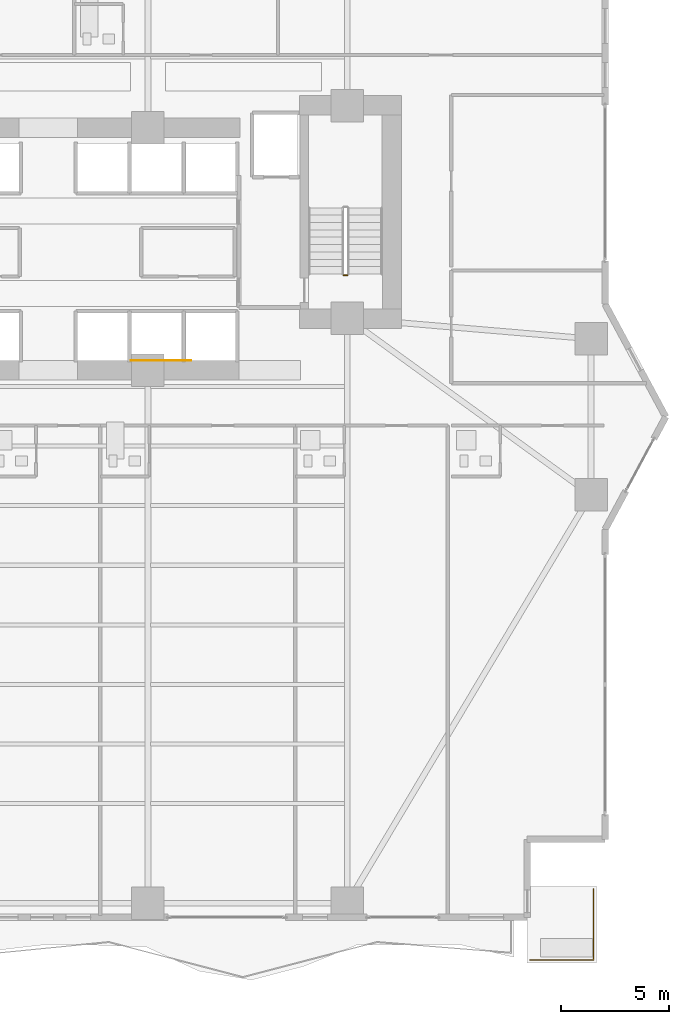
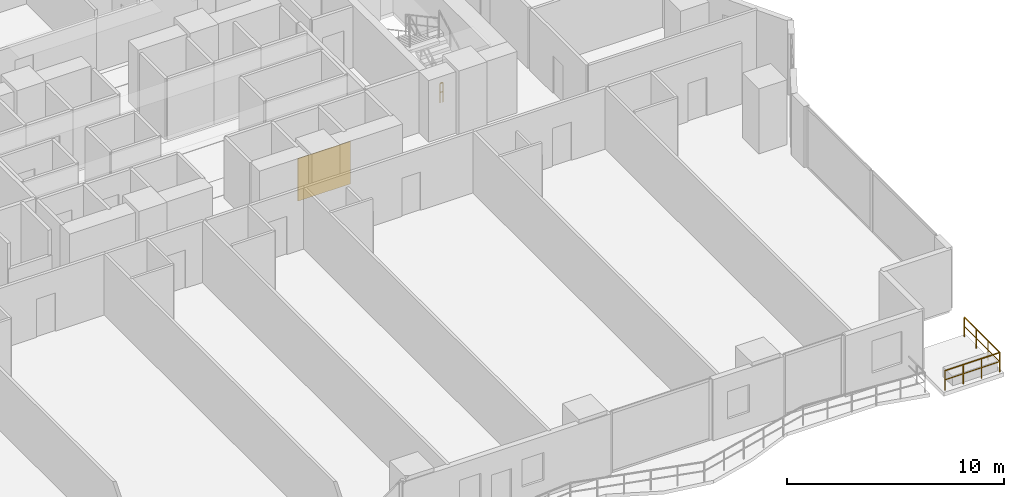
# One storey, part 25 of 29: 2 railings, 1 covering.
"""IFC4 building model written with IfcOpenShell, lengths in metres."""

from ifc_helpers import new_model, si_unit, direction, frame, origin, origin_2d, place, context, subcontext, project, spatial, rectangle, extrude, material, layer, layer_set, type_object, element, save


model = new_model("IFC4")

# Units and contexts
model_context = context("Model", 3, precision=1e-05, world=origin(), true_north=direction((0.0, 1.0)))
body_context = subcontext(model_context, "Body", "Model", "MODEL_VIEW")
ifc_project = project(units=[si_unit("LENGTHUNIT", "METRE"), si_unit("AREAUNIT", "SQUARE_METRE"), si_unit("VOLUMEUNIT", "CUBIC_METRE"), si_unit("PLANEANGLEUNIT", "RADIAN"), si_unit("MASSUNIT", "GRAM", prefix="KILO")], contexts=[model_context])

# Site, building, storey
site_placement = place(None, origin())
site = spatial("IfcSite", under=ifc_project, at=site_placement, CompositionType="ELEMENT")
building_placement = place(site_placement, origin())
building = spatial("IfcBuilding", under=site, at=building_placement, Name="Zuhayl Quay Hotel", CompositionType="ELEMENT")
storey_placement = place(building_placement, frame((0.0, 0.0, 42.199951171875)))
storey = spatial("IfcBuildingStorey", under=building, at=storey_placement, Name="L09", CompositionType="ELEMENT", Elevation=42.199951171875)

# Covering
ifc_material_1 = material(Name="Acoustic Walnut Feature Timber", Category="wood")
ifc_layer = layer(ifc_material_1, 0.02197265625, Name="Acoustic Walnut Feature Timber", Category="wood")
ifc_layer_set = layer_set([ifc_layer], Name="Acoustic Walnut Feature Timber")
covering_type = type_object("IfcCoveringType", Name="CV_WALL_CLAD", PredefinedType="CLADDING", material=ifc_layer_set)
covering_placement = place(storey_placement, frame((5.199951171875, 2.611083984375, 0.300048828125), z_axis=(0.0, 0.0, 1.0), x_axis=(1.0, 0.0, 0.0)))
element("IfcCovering", 1, at=covering_placement, inside=storey, type_object=covering_type, Name="L09 Feature Lobby Walnut Wall Cladding E", PredefinedType="CLADDING", context=body_context, shape_type="SweptSolid", body=[
    extrude(rectangle(XDim=2.800048828125, YDim=0.02197265625, at=origin_2d()), origin(), (0.0, 0.0, 1.0), 2.39990234375),
])

# Railings
ifc_material_2 = material(Name="Anodised Aluminium and Laminated Glass", Category="aluminium")
railing_type_1 = type_object("IfcRailingType", Name="RL_EXT_BAL_1100", PredefinedType="BALUSTRADE", material=ifc_material_2)
railing_1_placement = place(storey_placement, frame((22.239990234375, -25.06005859375, 0.0)))
element("IfcRailing", 2, at=railing_1_placement, inside=storey, type_object=railing_type_1, Name="L09 Balcony and Terrace Guard GR_L09_SPIRAL_SE", PredefinedType="BALUSTRADE", context=body_context, shape_type="SweptSolid", body=[
    extrude(rectangle(XDim=0.048095703125, YDim=0.048095703125, at=origin_2d()), frame((0.0, 0.0, 1.09619140625), z_axis=(1.0, 0.0, 0.0), x_axis=(0.0, 1.0, 0.0)), (0.0, 0.0, 1.0), 2.919921875),
    extrude(rectangle(XDim=0.0361328125, YDim=0.0361328125, at=origin_2d()), frame((0.0, 0.0, 0.58251953125), z_axis=(1.0, 0.0, 0.0), x_axis=(0.0, 1.0, 0.0)), (0.0, 0.0, 1.0), 2.919921875),
    extrude(rectangle(XDim=0.048095703125, YDim=0.048095703125, at=origin_2d()), frame((2.919921875, 0.0, 1.09619140625), z_axis=(0.0, 1.0, 0.0), x_axis=(-1.0, 0.0, 0.0)), (0.0, 0.0, 1.0), 3.27001953125),
    extrude(rectangle(XDim=0.0361328125, YDim=0.0361328125, at=origin_2d()), frame((2.919921875, 0.0, 0.58251953125), z_axis=(0.0, 1.0, 0.0), x_axis=(-1.0, 0.0, 0.0)), (0.0, 0.0, 1.0), 3.27001953125),
    extrude(rectangle(XDim=0.0419921875, YDim=0.0419921875, at=origin_2d()), origin(), (0.0, 0.0, 1.0), 1.072021484375),
    extrude(rectangle(XDim=0.0419921875, YDim=0.0419921875, at=origin_2d()), frame((0.973388671875, 0.0, 0.0)), (0.0, 0.0, 1.0), 1.072021484375),
    extrude(rectangle(XDim=0.0419921875, YDim=0.0419921875, at=origin_2d()), frame((1.946533203125, 0.0, 0.0)), (0.0, 0.0, 1.0), 1.072021484375),
    extrude(rectangle(XDim=0.0419921875, YDim=0.0419921875, at=origin_2d()), frame((2.919921875, 0.0, 0.0)), (0.0, 0.0, 1.0), 1.072021484375),
    extrude(rectangle(XDim=0.0419921875, YDim=0.0419921875, at=origin_2d()), frame((2.919921875, 1.090087890625, 0.0)), (0.0, 0.0, 1.0), 1.072021484375),
    extrude(rectangle(XDim=0.0419921875, YDim=0.0419921875, at=origin_2d()), frame((2.919921875, 2.179931640625, 0.0)), (0.0, 0.0, 1.0), 1.072021484375),
    extrude(rectangle(XDim=0.0419921875, YDim=0.0419921875, at=origin_2d()), frame((2.919921875, 3.27001953125, 0.0)), (0.0, 0.0, 1.0), 1.072021484375),
])
ifc_material_3 = material(Name="Steel ASTM A992 Grade 50", Category="steel")
railing_type_2 = type_object("IfcRailingType", Name="RL_GUARD_1100", PredefinedType="GUARDRAIL", material=ifc_material_3)
railing_2_placement = place(storey_placement, frame((13.7900390625, 6.5400390625, 0.0)))
element("IfcRailing", 3, at=railing_2_placement, inside=storey, type_object=railing_type_2, Name="L09 ST2 stair guard 4", PredefinedType="GUARDRAIL", context=body_context, shape_type="SweptSolid", body=[
    extrude(rectangle(XDim=0.048095703125, YDim=0.048095703125, at=origin_2d()), frame((0.0, 0.0, 1.09619140625), z_axis=(-1.0, 0.0, 0.0), x_axis=(0.0, -1.0, 0.0)), (0.0, 0.0, 1.0), 0.150146484375),
    extrude(rectangle(XDim=0.0361328125, YDim=0.0361328125, at=origin_2d()), frame((0.0, 0.0, 0.58251953125), z_axis=(-1.0, 0.0, 0.0), x_axis=(0.0, -1.0, 0.0)), (0.0, 0.0, 1.0), 0.150146484375),
    extrude(rectangle(XDim=0.0419921875, YDim=0.0419921875, at=origin_2d()), origin(), (0.0, 0.0, 1.0), 1.072021484375),
    extrude(rectangle(XDim=0.0419921875, YDim=0.0419921875, at=origin_2d()), frame((-0.150146484375, 0.0, 0.0)), (0.0, 0.0, 1.0), 1.072021484375),
])

save(model, "model.ifc")
